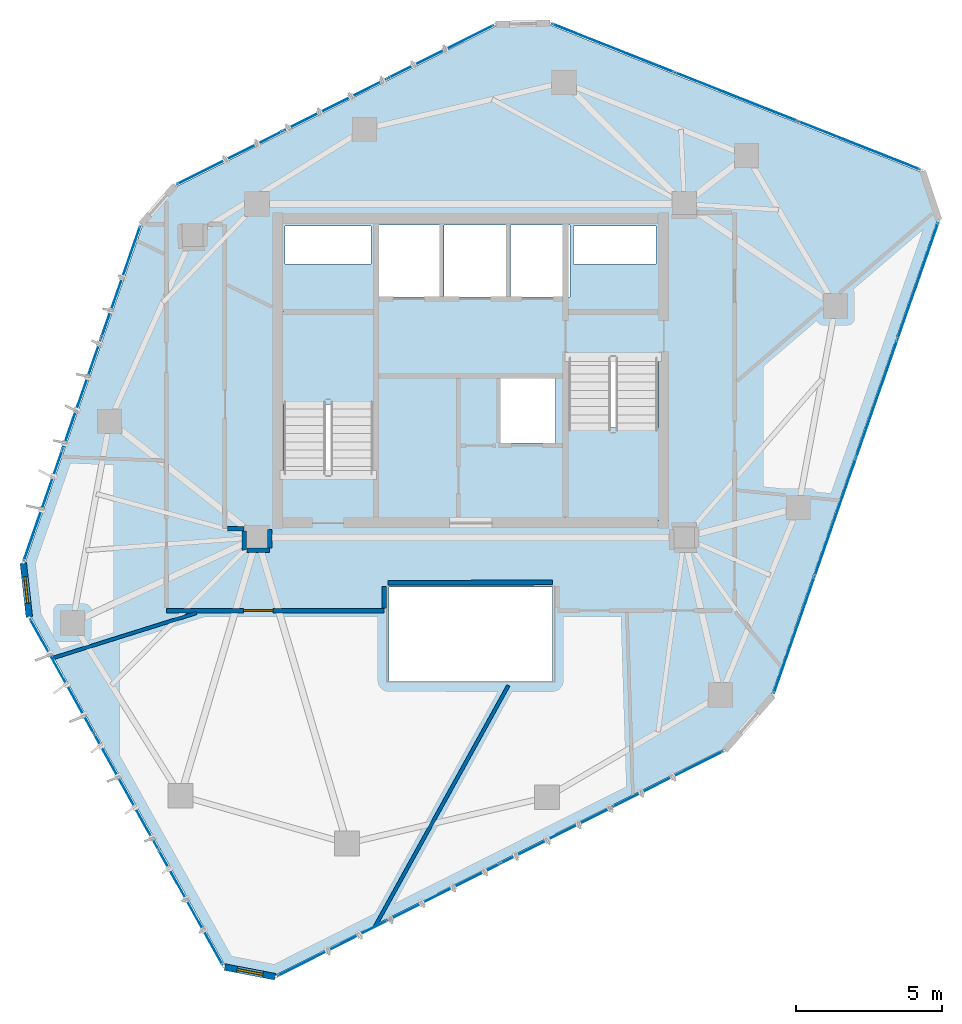
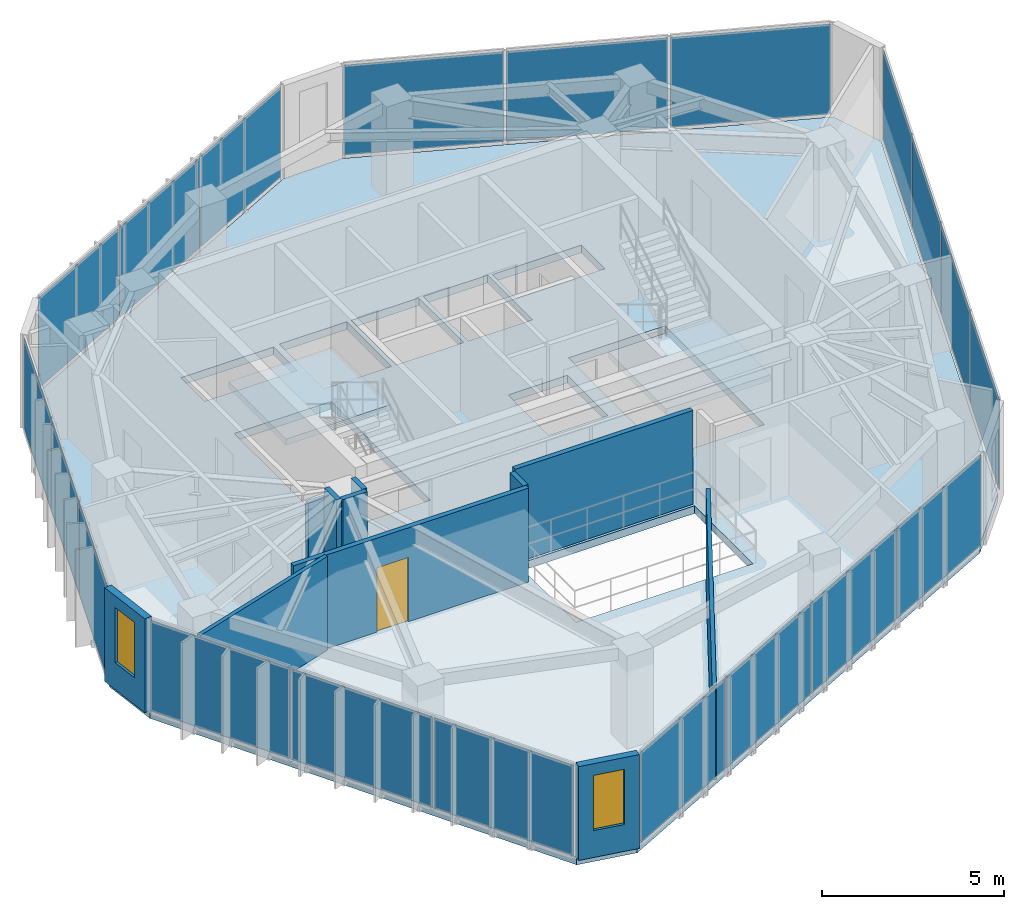
# One storey, part 16 of 21: 20 plates, 11 walls, 3 slabs, 2 windows, 1 door, 3 openings, 8 elements without a shape of their own.
"""IFC4 building model written with IfcOpenShell, lengths in metres."""

import ifcopenshell
import ifcopenshell.guid

model = None  # the IFC model being written
_history = None  # IfcOwnerHistory: only IFC2X3 demands one
_inside = {}  # id of a spatial element -> (the spatial element, [elements in it])
_under = {}  # id of a project, library or spatial element -> (it, [spatial elements below it])
_declared = {}  # id of a project -> (the project, [libraries it declares])
_typed = {}  # id of a type object -> (the type object, [elements of that type])
_made_of = {}  # id of a material, layer set ... -> (it, [elements and type objects made of it])


def new_model(schema):
    """Start an empty IFC model of exactly this schema.

    Asked for "IFC4X3", IfcOpenShell would pick the latest addendum, in which some entities
    have other attributes; the version numbers below select the first issue.
    IFC2X3 requires an IfcOwnerHistory on every rooted entity: one is made here for all.
    """
    global model, _history
    if schema == "IFC4X3":
        model = ifcopenshell.file(schema_version=(4, 3, 0, 0))
    else:
        model = ifcopenshell.file(schema=schema)
    _inside.clear()
    _under.clear()
    _declared.clear()
    _typed.clear()
    _made_of.clear()
    _history = None
    if model.schema == "IFC2X3":
        org = make("IfcOrganization", Name="unknown")
        user = make(
            "IfcPersonAndOrganization",
            ThePerson=make("IfcPerson", FamilyName="unknown"),
            TheOrganization=org,
        )
        app = make(
            "IfcApplication",
            ApplicationDeveloper=org,
            Version="unknown",
            ApplicationFullName="unknown",
            ApplicationIdentifier="unknown",
        )
        _history = make(
            "IfcOwnerHistory",
            OwningUser=user,
            OwningApplication=app,
            ChangeAction="ADDED",
            CreationDate=0,
        )
    return model


def make(cls, **values):
    """One entity of the class cls with the attributes given. An attribute that is None is left unset."""
    return model.create_entity(
        cls, **{name: value for name, value in values.items() if value is not None}
    )


def rooted(cls, **values):
    """An entity with a GlobalId (a new one), such as an element, a storey or a relation."""
    return make(cls, GlobalId=ifcopenshell.guid.new(), OwnerHistory=_history, **values)


def si_unit(unit_type, name, prefix=None):
    """IfcSIUnit, for example si_unit("LENGTHUNIT", "METRE", prefix="MILLI")."""
    return make("IfcSIUnit", UnitType=unit_type, Prefix=prefix, Name=name)


def assignment(units):
    """IfcUnitAssignment: the units of a project."""
    return None if units is None else make("IfcUnitAssignment", Units=units)


def point(xyz):
    """IfcCartesianPoint."""
    return None if xyz is None else make("IfcCartesianPoint", Coordinates=xyz)


def direction(xyz):
    """IfcDirection."""
    return None if xyz is None else make("IfcDirection", DirectionRatios=xyz)


def frame(location, z_axis=None, x_axis=None):
    """IfcAxis2Placement3D, a coordinate frame: its origin and axes. An axis left out is left unset."""
    return make(
        "IfcAxis2Placement3D",
        Location=point(location),
        Axis=direction(z_axis),
        RefDirection=direction(x_axis),
    )


def frame_2d(location, x_axis=None):
    """IfcAxis2Placement2D, a coordinate frame in the plane: its origin and x axis."""
    return make(
        "IfcAxis2Placement2D", Location=point(location), RefDirection=direction(x_axis)
    )


def origin():
    """The frame at (0, 0, 0) with its axes left unset."""
    return frame((0.0, 0.0, 0.0))


def origin_2d():
    """The frame at (0, 0) in the plane with its x axis left unset."""
    return frame_2d((0.0, 0.0))


def place(relative_to, where):
    """IfcLocalPlacement: puts the frame where relative to a parent placement (None: the world)."""
    return make(
        "IfcLocalPlacement", PlacementRelTo=relative_to, RelativePlacement=where
    )


def context(
    kind, dimensions, precision=None, world=None, true_north=None, identifier=None
):
    """IfcGeometricRepresentationContext, for example the 3D "Model" context."""
    return make(
        "IfcGeometricRepresentationContext",
        ContextIdentifier=identifier,
        ContextType=kind,
        CoordinateSpaceDimension=dimensions,
        Precision=precision,
        WorldCoordinateSystem=world,
        TrueNorth=true_north,
    )


def subcontext(parent, identifier, kind, view, scale=None):
    """IfcGeometricRepresentationSubContext, for example "Body" below "Model"."""
    return make(
        "IfcGeometricRepresentationSubContext",
        ContextIdentifier=identifier,
        ContextType=kind,
        ParentContext=parent,
        TargetScale=scale,
        TargetView=view,
    )


def project(units=None, contexts=None):
    """IfcProject with its units and contexts."""
    return rooted(
        "IfcProject",
        Name="project",
        RepresentationContexts=contexts,
        UnitsInContext=assignment(units),
    )


def spatial(cls, under=None, at=None, **own):
    """A site, building, storey or space (cls), placed at a placement, below another one or the project."""
    s = rooted(cls, ObjectPlacement=at, **own)
    if under is not None:
        _under.setdefault(under.id(), (under, []))[1].append(s)
    return s


def polyline(points):
    """IfcPolyline through the points."""
    return make("IfcPolyline", Points=[point(p) for p in points])


def profile(cls, at=None, kind="AREA", **sizes):
    """A parametric profile (cls). Its sizes go by their IFC names, for example OverallWidth=200.0."""
    return make(cls, ProfileType=kind, Position=at, **sizes)


def rectangle(**sizes):
    """IfcRectangleProfileDef."""
    return profile("IfcRectangleProfileDef", **sizes)


def outline(outer, holes=None, kind="AREA"):
    """IfcArbitraryClosedProfileDef: a profile drawn as a closed curve; with holes, ...WithVoids."""
    if holes is None:
        return make("IfcArbitraryClosedProfileDef", ProfileType=kind, OuterCurve=outer)
    return make(
        "IfcArbitraryProfileDefWithVoids",
        ProfileType=kind,
        OuterCurve=outer,
        InnerCurves=holes,
    )


def extrude(swept, where, along, depth):
    """IfcExtrudedAreaSolid: the profile swept, set in the frame where, extruded along a direction by depth."""
    return make(
        "IfcExtrudedAreaSolid",
        SweptArea=swept,
        Position=where,
        ExtrudedDirection=direction(along),
        Depth=depth,
    )


def shape(context_of_items, identifier, shape_type, items):
    """IfcShapeRepresentation: the items that make up one representation, for example the "Body"."""
    return make(
        "IfcShapeRepresentation",
        ContextOfItems=context_of_items,
        RepresentationIdentifier=identifier,
        RepresentationType=shape_type,
        Items=items,
    )


def source(mapping_origin, context_of_items, identifier, shape_type, items):
    """IfcRepresentationMap: a shape defined once, which mapped items show again and again."""
    return make(
        "IfcRepresentationMap",
        MappingOrigin=mapping_origin,
        MappedRepresentation=shape(context_of_items, identifier, shape_type, items),
    )


def transform(
    local_origin,
    x_axis=None,
    y_axis=None,
    z_axis=None,
    scale=None,
    scale2=None,
    scale3=None,
    uniform=True,
):
    """IfcCartesianTransformationOperator3D, or its non-uniform kind. x_axis, y_axis, z_axis: its Axis1, 2, 3."""
    if uniform:
        return make(
            "IfcCartesianTransformationOperator3D",
            Axis1=direction(x_axis),
            Axis2=direction(y_axis),
            LocalOrigin=point(local_origin),
            Scale=scale,
            Axis3=direction(z_axis),
        )
    return make(
        "IfcCartesianTransformationOperator3DnonUniform",
        Axis1=direction(x_axis),
        Axis2=direction(y_axis),
        LocalOrigin=point(local_origin),
        Scale=scale,
        Axis3=direction(z_axis),
        Scale2=scale2,
        Scale3=scale3,
    )


def mapped(mapping_source, mapping_target):
    """IfcMappedItem: shows the shape of a source again, moved by a transform."""
    return make(
        "IfcMappedItem", MappingSource=mapping_source, MappingTarget=mapping_target
    )


def material(Name=None, Category=None):
    """IfcMaterial."""
    return make("IfcMaterial", Name=Name, Category=Category)


def layer(
    of_material, thickness, ventilated=None, Name=None, Category=None, Priority=None
):
    """IfcMaterialLayer: one layer of a wall or slab, of a material (None: an air gap)."""
    return make(
        "IfcMaterialLayer",
        Material=of_material,
        LayerThickness=thickness,
        IsVentilated=ventilated,
        Name=Name,
        Category=Category,
        Priority=Priority,
    )


def layer_set(layers, Name=None):
    """IfcMaterialLayerSet."""
    return make("IfcMaterialLayerSet", MaterialLayers=layers, LayerSetName=Name)


def made_of(thing, what):
    """Note that an element or type object is made of a material, layer set ...; save() writes the relation."""
    if what is not None:
        _made_of.setdefault(what.id(), (what, []))[1].append(thing)
    return thing


def type_object(cls, material=None, **own):
    """A type object (cls), such as IfcWallType, which elements share."""
    return made_of(rooted(cls, **own), material)


def type_shapes(of_type, sources):
    """Give a type object the sources (RepresentationMaps) that its elements show as mapped items."""
    of_type.RepresentationMaps = sources


def element(
    cls,
    number,
    at=None,
    inside=None,
    cuts=None,
    type_object=None,
    material=None,
    context=None,
    identifier="Body",
    shape_type=None,
    held_by="IfcProductDefinitionShape",
    body=None,
    shapes=None,
    **own,
):
    """One element of the class cls, such as IfcWall. Its Tag is "e" and its number.

    at: its placement. inside: the storey or other place that contains it. cuts: it is an
    opening in that element (IfcRelVoidsElement). A single representation is given by context,
    identifier, shape_type and body (its items); several are given by shapes. held_by: the class
    of the entity that holds the representations. save() writes the other relations.
    """
    e = rooted(cls, Tag="e%d" % number, ObjectPlacement=at, **own)
    if body is not None:
        shapes = [shape(context, identifier, shape_type, body)]
    if shapes is not None:
        e.Representation = make(held_by, Representations=shapes)
    if inside is not None:
        _inside.setdefault(inside.id(), (inside, []))[1].append(e)
    if cuts is not None:
        rooted(
            "IfcRelVoidsElement", RelatingBuildingElement=cuts, RelatedOpeningElement=e
        )
    if type_object is not None:
        _typed.setdefault(type_object.id(), (type_object, []))[1].append(e)
    return made_of(e, material)


def fill(opening, filler):
    """IfcRelFillsElement: the door or window that sits in an opening."""
    return rooted(
        "IfcRelFillsElement",
        RelatingOpeningElement=opening,
        RelatedBuildingElement=filler,
    )


def aggregate(whole, parts):
    """IfcRelAggregates: a whole, such as a stair, and the parts it consists of."""
    return rooted("IfcRelAggregates", RelatingObject=whole, RelatedObjects=parts)


def save(model, path):
    """Write the relations noted so far, then the file.

    IfcRelAggregates (storeys below a building ...), IfcRelContainedInSpatialStructure (elements
    in a storey), IfcRelDefinesByType, IfcRelAssociatesMaterial and IfcRelDeclares: one each for
    every whole, place, type object, material and project.
    """
    for whole, parts in _under.values():
        aggregate(whole, parts)
    for where, things in _inside.values():
        rooted(
            "IfcRelContainedInSpatialStructure",
            RelatedElements=things,
            RelatingStructure=where,
        )
    for kind, things in _typed.values():
        rooted("IfcRelDefinesByType", RelatedObjects=things, RelatingType=kind)
    for what, things in _made_of.values():
        rooted("IfcRelAssociatesMaterial", RelatedObjects=things, RelatingMaterial=what)
    for by, libraries in _declared.values():
        rooted("IfcRelDeclares", RelatingContext=by, RelatedDefinitions=libraries)
    model.write(path)


model = new_model("IFC4")

# Units and contexts
model_context = context("Model", 3, precision=1e-05, world=origin(), true_north=direction((0.0, 1.0)))
body_context = subcontext(model_context, "Body", "Model", "MODEL_VIEW")
ifc_project = project(units=[si_unit("LENGTHUNIT", "METRE"), si_unit("AREAUNIT", "SQUARE_METRE"), si_unit("VOLUMEUNIT", "CUBIC_METRE"), si_unit("PLANEANGLEUNIT", "RADIAN"), si_unit("MASSUNIT", "GRAM", prefix="KILO")], contexts=[model_context])

# Site, building, storey
site_placement = place(None, origin())
site = spatial("IfcSite", under=ifc_project, at=site_placement, CompositionType="ELEMENT")
building_placement = place(site_placement, origin())
building = spatial("IfcBuilding", under=site, at=building_placement, Name="Talar Marvaseh", CompositionType="ELEMENT")
storey_placement = place(building_placement, frame((0.0, 0.0, 264.60009765625)))
storey = spatial("IfcBuildingStorey", under=building, at=storey_placement, Name="L70", CompositionType="ELEMENT", Elevation=264.60009765625)

# Stair, slab
ifc_material_1 = material(Name="Concrete C40/50", Category="concrete")
stair_type = type_object("IfcStairType", Name="Reinforced Concrete High-Rise Exit Stair Type C", PredefinedType="HALF_TURN_STAIR", material=ifc_material_1)
stair_1_placement = place(storey_placement, origin())
stair_1 = element("IfcStair", 1, at=stair_1_placement, inside=storey, type_object=stair_type, Name="L70 Tower West Core Exit Stair", PredefinedType="HALF_TURN_STAIR")
ifc_layer_1 = layer(ifc_material_1, 0.199951171875)
ifc_layer_set_1 = layer_set([ifc_layer_1], Name="Concrete C40/50")
slab_type_1 = type_object("IfcSlabType", Name="Reinforced Concrete Stair Half-Landing Slab 200", PredefinedType="LANDING", material=ifc_layer_set_1)
slab_1_placement = place(storey_placement, frame((0.0, 0.0, 1.5)))
slab_1 = element("IfcSlab", 2, at=slab_1_placement, type_object=slab_type_1, Name="ST-1 landing 1", PredefinedType="LANDING", context=body_context, shape_type="SweptSolid", body=[
    extrude(outline(polyline([(22.780029296875, 30.050048828125), (22.780029296875, 33.219970703125), (19.47998046875, 33.219970703125), (19.47998046875, 30.050048828125), (22.780029296875, 30.050048828125)])), origin(), (0.0, 0.0, 1.0), 0.199951171875),
])
aggregate(stair_1, [slab_1])

stair_2_placement = place(storey_placement, origin())
stair_2 = element("IfcStair", 3, at=stair_2_placement, inside=storey, type_object=stair_type, Name="L70 Tower East Core Exit Stair", PredefinedType="HALF_TURN_STAIR")
slab_2_placement = place(storey_placement, frame((0.0, 0.0, 1.5)))
slab_2 = element("IfcSlab", 4, at=slab_2_placement, type_object=slab_type_1, Name="ST-2 landing 1", PredefinedType="LANDING", context=body_context, shape_type="SweptSolid", body=[
    extrude(outline(polyline([(29.219970703125, 29.25), (29.219970703125, 26.080078125), (32.52001953125, 26.080078125), (32.52001953125, 29.25), (29.219970703125, 29.25)])), origin(), (0.0, 0.0, 1.0), 0.199951171875),
])
aggregate(stair_2, [slab_2])

# Slab
ifc_layer_2 = layer(ifc_material_1, 0.260009765625)
ifc_layer_set_2 = layer_set([ifc_layer_2], Name="Concrete C40/50")
slab_type_2 = type_object("IfcSlabType", Name="Structural Suspended Floor Slab 260", PredefinedType="FLOOR", material=ifc_layer_set_2)
slab_3_placement = place(storey_placement, frame((0.0, 0.0, -0.260009765625)))
element("IfcSlab", 5, at=slab_3_placement, inside=storey, type_object=slab_type_2, Name="L70 Tower Floor Slab", PredefinedType="FLOOR", context=body_context, shape_type="SweptSolid", body=[
    extrude(outline(polyline([(19.32958984375, 10.540771484375), (17.602783203125, 10.870849609375), (10.972412109375, 22.784912109375), (10.766357421875, 24.6298828125), (14.77685546875, 36.158203125), (15.950927734375, 37.4970703125), (26.857177734375, 42.977783203125), (28.713134765625, 43.014404296875), (41.390869140625, 37.995849609375), (41.943603515625, 36.3271484375), (36.288330078125, 20.1416015625), (34.638427734375, 18.260009765625), (19.32958984375, 10.540771484375)]), holes=[polyline([(22.659912109375, 27.64990234375), (22.659912109375, 33.10009765625), (19.60009765625, 33.10009765625), (19.60009765625, 27.64990234375), (22.659912109375, 27.64990234375)]), polyline([(29.340087890625, 31.64990234375), (29.340087890625, 26.199951171875), (32.39990234375, 26.199951171875), (32.39990234375, 31.64990234375), (29.340087890625, 31.64990234375)]), polyline([(22.800048828125, 33.719970703125), (24.93994140625, 33.719970703125), (24.93994140625, 36.179931640625), (22.800048828125, 36.179931640625), (22.800048828125, 33.719970703125)]), polyline([(25.080078125, 33.719970703125), (27.219970703125, 33.719970703125), (27.219970703125, 36.179931640625), (25.080078125, 36.179931640625), (25.080078125, 33.719970703125)]), polyline([(27.360107421875, 33.719970703125), (29.39990234375, 33.719970703125), (29.39990234375, 36.179931640625), (27.360107421875, 36.179931640625), (27.360107421875, 33.719970703125)]), polyline([(27.02001953125, 28.719970703125), (28.89990234375, 28.719970703125), (28.89990234375, 30.93994140625), (27.02001953125, 30.93994140625), (27.02001953125, 28.719970703125)]), polyline([(19.659912109375, 34.840087890625), (22.60009765625, 34.840087890625), (22.60009765625, 36.139892578125), (19.659912109375, 36.139892578125), (19.659912109375, 34.840087890625)]), polyline([(29.52001953125, 34.840087890625), (32.340087890625, 34.840087890625), (32.340087890625, 36.139892578125), (29.52001953125, 36.139892578125), (29.52001953125, 34.840087890625)]), polyline([(23.199951171875, 20.60009765625), (28.800048828125, 20.60009765625), (28.800048828125, 23.800048828125), (23.199951171875, 23.800048828125), (23.199951171875, 20.60009765625)])]), origin(), (0.0, 0.0, 1.0), 0.260009765625),
])

# Curtain wall, plates
ifc_material_2 = material(Name="Architectural Aluminium", Category="aluminium")
ifc_layer_3 = layer(ifc_material_2, 0.179931640625)
ifc_layer_set_3 = layer_set([ifc_layer_3], Name="Architectural Aluminium")
curtain_wall_type = type_object("IfcCurtainWallType", Name="Unitised High-Wind Sky Curtain Wall Z4", PredefinedType="NOTDEFINED", material=ifc_layer_set_3)
curtain_wall_1_placement = place(storey_placement, origin())
curtain_wall_1 = element("IfcCurtainWall", 6, at=curtain_wall_1_placement, inside=storey, type_object=curtain_wall_type, Name="L70 Unitised High-Wind Sky Curtain Wall Z4", PredefinedType="NOTDEFINED")
ifc_material_3 = material(Name="Laminated Low-E Solar Glass", Category="glass")
ifc_layer_4 = layer(ifc_material_3, 0.028076171875)
ifc_layer_set_4 = layer_set([ifc_layer_4], Name="Laminated Low-E Solar Glass")
plate_type = type_object("IfcPlateType", Name="Double-Glazed Low-E Vision Curtain Panel 28", PredefinedType="CURTAIN_PANEL", material=ifc_layer_set_4)
shared_shape_1 = source(origin(), body_context, "Body", "SweptSolid", [
    extrude(rectangle(XDim=4.447509765625, YDim=0.028076171875, at=origin_2d()), origin(), (0.0, 0.0, 1.0), 3.010009765625),
])
plate_1_placement = place(storey_placement, frame((16.4375, 12.841552734375, 0.06494140625), z_axis=(0.0, 0.0, 1.0), x_axis=(-0.486279216981, 0.873803480843, 0.0)))
plate_1 = element("IfcPlate", 7, at=plate_1_placement, type_object=plate_type, Name="CW-Z4 panel 1.1", PredefinedType="CURTAIN_PANEL", context=body_context, shape_type="MappedRepresentation", body=[
    mapped(shared_shape_1, transform((0.0, 0.0, 0.0), x_axis=(1.0, 0.0, 0.0), y_axis=(0.0, 1.0, 0.0), z_axis=(0.0, 0.0, 1.0), scale=1.0)),
])
plate_2_placement = place(storey_placement, frame((12.032958984375, 20.755859375, 0.06494140625), z_axis=(0.0, 0.0, 1.0), x_axis=(-0.486279216981, 0.873803480843, 0.0)))
plate_2 = element("IfcPlate", 8, at=plate_2_placement, type_object=plate_type, Name="CW-Z4 panel 3.1", PredefinedType="CURTAIN_PANEL", context=body_context, shape_type="MappedRepresentation", body=[
    mapped(shared_shape_1, transform((0.0, 0.0, 0.0), x_axis=(1.0, 0.0, 0.0), y_axis=(0.0, 1.0, 0.0), z_axis=(0.0, 0.0, 1.0), scale=1.0)),
])

curtain_wall_2_placement = place(storey_placement, origin())
curtain_wall_2 = element("IfcCurtainWall", 9, at=curtain_wall_2_placement, inside=storey, type_object=curtain_wall_type, Name="L70 Unitised High-Wind Sky Curtain Wall Z4", PredefinedType="NOTDEFINED")
plate_3_placement = place(storey_placement, frame((30.86328125, 42.227783203125, 0.06494140625), z_axis=(0.0, 0.0, 1.0), x_axis=(0.929802011572, -0.368060075635, 0.0)))
plate_3 = element("IfcPlate", 10, at=plate_3_placement, type_object=plate_type, Name="CW-Z4 panel 1.1", PredefinedType="CURTAIN_PANEL", context=body_context, shape_type="MappedRepresentation", body=[
    mapped(shared_shape_1, transform((0.0, 0.0, 0.0), x_axis=(1.0, 0.0, 0.0), y_axis=(0.0, 1.0, 0.0), z_axis=(0.0, 0.0, 1.0), scale=1.0)),
])
plate_4_placement = place(storey_placement, frame((39.284912109375, 38.89404296875, 0.06494140625), z_axis=(0.0, 0.0, 1.0), x_axis=(0.929802011572, -0.368060075635, 0.0)))
plate_4 = element("IfcPlate", 11, at=plate_4_placement, type_object=plate_type, Name="CW-Z4 panel 3.1", PredefinedType="CURTAIN_PANEL", context=body_context, shape_type="MappedRepresentation", body=[
    mapped(shared_shape_1, transform((0.0, 0.0, 0.0), x_axis=(1.0, 0.0, 0.0), y_axis=(0.0, 1.0, 0.0), z_axis=(0.0, 0.0, 1.0), scale=1.0)),
])

# Plate
shared_shape_2 = source(origin(), body_context, "Body", "SweptSolid", [
    extrude(rectangle(XDim=4.47998046875, YDim=0.028076171875, at=origin_2d()), origin(), (0.0, 0.0, 1.0), 3.010009765625),
])
plate_5_placement = place(storey_placement, frame((14.2353515625, 16.798828125, 0.06494140625), z_axis=(0.0, 0.0, 1.0), x_axis=(-0.486279216981, 0.873803480843, 0.0)))
plate_5 = element("IfcPlate", 12, at=plate_5_placement, type_object=plate_type, Name="CW-Z4 panel 2.1", PredefinedType="CURTAIN_PANEL", context=body_context, shape_type="MappedRepresentation", body=[
    mapped(shared_shape_2, transform((0.0, 0.0, 0.0), x_axis=(1.0, 0.0, 0.0), y_axis=(0.0, 1.0, 0.0), z_axis=(0.0, 0.0, 1.0), scale=1.0)),
])

aggregate(curtain_wall_1, [plate_1, plate_5, plate_2])

plate_6_placement = place(storey_placement, frame((35.07421875, 40.560791015625, 0.06494140625), z_axis=(0.0, 0.0, 1.0), x_axis=(0.929802011572, -0.368060075635, 0.0)))
plate_6 = element("IfcPlate", 13, at=plate_6_placement, type_object=plate_type, Name="CW-Z4 panel 2.1", PredefinedType="CURTAIN_PANEL", context=body_context, shape_type="MappedRepresentation", body=[
    mapped(shared_shape_2, transform((0.0, 0.0, 0.0), x_axis=(1.0, 0.0, 0.0), y_axis=(0.0, 1.0, 0.0), z_axis=(0.0, 0.0, 1.0), scale=1.0)),
])

aggregate(curtain_wall_2, [plate_3, plate_6, plate_4])

# Curtain wall, plates
curtain_wall_3_placement = place(storey_placement, origin())
curtain_wall_3 = element("IfcCurtainWall", 14, at=curtain_wall_3_placement, inside=storey, type_object=curtain_wall_type, Name="L70 Unitised High-Wind Sky Curtain Wall Z4", PredefinedType="NOTDEFINED")
shared_shape_3 = source(origin(), body_context, "Body", "SweptSolid", [
    extrude(rectangle(XDim=3.97119140625, YDim=0.028076171875, at=origin_2d()), origin(), (0.0, 0.0, 1.0), 3.010009765625),
])
plate_7_placement = place(storey_placement, frame((11.383544921875, 26.58642578125, 0.06494140625), z_axis=(0.0, 0.0, 1.0), x_axis=(0.328568606431, 0.944480106126, 0.0)))
plate_7 = element("IfcPlate", 15, at=plate_7_placement, type_object=plate_type, Name="CW-Z4 panel 1.1", PredefinedType="CURTAIN_PANEL", context=body_context, shape_type="MappedRepresentation", body=[
    mapped(shared_shape_3, transform((0.0, 0.0, 0.0), x_axis=(1.0, 0.0, 0.0), y_axis=(0.0, 1.0, 0.0), z_axis=(0.0, 0.0, 1.0), scale=1.0)),
])
plate_8_placement = place(storey_placement, frame((14.04638671875, 34.2412109375, 0.06494140625), z_axis=(0.0, 0.0, 1.0), x_axis=(0.328568606431, 0.944480106126, 0.0)))
plate_8 = element("IfcPlate", 16, at=plate_8_placement, type_object=plate_type, Name="CW-Z4 panel 3.1", PredefinedType="CURTAIN_PANEL", context=body_context, shape_type="MappedRepresentation", body=[
    mapped(shared_shape_3, transform((0.0, 0.0, 0.0), x_axis=(1.0, 0.0, 0.0), y_axis=(0.0, 1.0, 0.0), z_axis=(0.0, 0.0, 1.0), scale=1.0)),
])

curtain_wall_4_placement = place(storey_placement, origin())
curtain_wall_4 = element("IfcCurtainWall", 17, at=curtain_wall_4_placement, inside=storey, type_object=curtain_wall_type, Name="L70 Unitised High-Wind Sky Curtain Wall Z4", PredefinedType="NOTDEFINED")
plate_9_placement = place(storey_placement, frame((17.756103515625, 38.471435546875, 0.06494140625), z_axis=(0.0, 0.0, 1.0), x_axis=(0.893514304781, 0.449034728226, 0.0)))
plate_9 = element("IfcPlate", 18, at=plate_9_placement, type_object=plate_type, Name="CW-Z4 panel 1.1", PredefinedType="CURTAIN_PANEL", context=body_context, shape_type="MappedRepresentation", body=[
    mapped(shared_shape_3, transform((0.0, 0.0, 0.0), x_axis=(1.0, 0.0, 0.0), y_axis=(0.0, 1.0, 0.0), z_axis=(0.0, 0.0, 1.0), scale=1.0)),
])
plate_10_placement = place(storey_placement, frame((24.998046875, 42.11083984375, 0.06494140625), z_axis=(0.0, 0.0, 1.0), x_axis=(0.893514304781, 0.449034728226, 0.0)))
plate_10 = element("IfcPlate", 19, at=plate_10_placement, type_object=plate_type, Name="CW-Z4 panel 3.1", PredefinedType="CURTAIN_PANEL", context=body_context, shape_type="MappedRepresentation", body=[
    mapped(shared_shape_3, transform((0.0, 0.0, 0.0), x_axis=(1.0, 0.0, 0.0), y_axis=(0.0, 1.0, 0.0), z_axis=(0.0, 0.0, 1.0), scale=1.0)),
])

# Plate
shared_shape_4 = source(origin(), body_context, "Body", "SweptSolid", [
    extrude(rectangle(XDim=4.003662109375, YDim=0.028076171875, at=origin_2d()), origin(), (0.0, 0.0, 1.0), 3.010009765625),
])
plate_11_placement = place(storey_placement, frame((12.71484375, 30.413818359375, 0.06494140625), z_axis=(0.0, 0.0, 1.0), x_axis=(0.328568606431, 0.944480106126, 0.0)))
plate_11 = element("IfcPlate", 20, at=plate_11_placement, type_object=plate_type, Name="CW-Z4 panel 2.1", PredefinedType="CURTAIN_PANEL", context=body_context, shape_type="MappedRepresentation", body=[
    mapped(shared_shape_4, transform((0.0, 0.0, 0.0), x_axis=(1.0, 0.0, 0.0), y_axis=(0.0, 1.0, 0.0), z_axis=(0.0, 0.0, 1.0), scale=1.0)),
])

aggregate(curtain_wall_3, [plate_7, plate_11, plate_8])

plate_12_placement = place(storey_placement, frame((21.377197265625, 40.291015625, 0.06494140625), z_axis=(0.0, 0.0, 1.0), x_axis=(0.893514304781, 0.449034728226, 0.0)))
plate_12 = element("IfcPlate", 21, at=plate_12_placement, type_object=plate_type, Name="CW-Z4 panel 2.1", PredefinedType="CURTAIN_PANEL", context=body_context, shape_type="MappedRepresentation", body=[
    mapped(shared_shape_4, transform((0.0, 0.0, 0.0), x_axis=(1.0, 0.0, 0.0), y_axis=(0.0, 1.0, 0.0), z_axis=(0.0, 0.0, 1.0), scale=1.0)),
])

aggregate(curtain_wall_4, [plate_9, plate_12, plate_10])

# Curtain wall, plates
curtain_wall_5_placement = place(storey_placement, origin())
curtain_wall_5 = element("IfcCurtainWall", 22, at=curtain_wall_5_placement, inside=storey, type_object=curtain_wall_type, Name="L70 Unitised High-Wind Sky Curtain Wall Z4", PredefinedType="NOTDEFINED")
shared_shape_5 = source(origin(), body_context, "Body", "SweptSolid", [
    extrude(rectangle(XDim=4.188720703125, YDim=0.028076171875, at=origin_2d()), origin(), (0.0, 0.0, 1.0), 3.010009765625),
])
plate_13_placement = place(storey_placement, frame((41.287841796875, 34.268798828125, 0.06494140625), z_axis=(0.0, 0.0, 1.0), x_axis=(-0.329838044597, -0.94403753333, 0.0)))
plate_13 = element("IfcPlate", 23, at=plate_13_placement, type_object=plate_type, Name="CW-Z4 panel 1.1", PredefinedType="CURTAIN_PANEL", context=body_context, shape_type="MappedRepresentation", body=[
    mapped(shared_shape_5, transform((0.0, 0.0, 0.0), x_axis=(1.0, 0.0, 0.0), y_axis=(0.0, 1.0, 0.0), z_axis=(0.0, 0.0, 1.0), scale=1.0)),
])
plate_14_placement = place(storey_placement, frame((37.05712890625, 22.16015625, 0.06494140625), z_axis=(0.0, 0.0, 1.0), x_axis=(-0.329838044597, -0.94403753333, 0.0)))
plate_14 = element("IfcPlate", 24, at=plate_14_placement, type_object=plate_type, Name="CW-Z4 panel 4.1", PredefinedType="CURTAIN_PANEL", context=body_context, shape_type="MappedRepresentation", body=[
    mapped(shared_shape_5, transform((0.0, 0.0, 0.0), x_axis=(1.0, 0.0, 0.0), y_axis=(0.0, 1.0, 0.0), z_axis=(0.0, 0.0, 1.0), scale=1.0)),
])

curtain_wall_6_placement = place(storey_placement, origin())
curtain_wall_6 = element("IfcCurtainWall", 25, at=curtain_wall_6_placement, inside=storey, type_object=curtain_wall_type, Name="L70 Unitised High-Wind Sky Curtain Wall Z4", PredefinedType="NOTDEFINED")
plate_15_placement = place(storey_placement, frame((32.7373046875, 17.234375, 0.06494140625), z_axis=(0.0, 0.0, 1.0), x_axis=(-0.89290909223, -0.450236996494, 0.0)))
plate_15 = element("IfcPlate", 26, at=plate_15_placement, type_object=plate_type, Name="CW-Z4 panel 1.1", PredefinedType="CURTAIN_PANEL", context=body_context, shape_type="MappedRepresentation", body=[
    mapped(shared_shape_5, transform((0.0, 0.0, 0.0), x_axis=(1.0, 0.0, 0.0), y_axis=(0.0, 1.0, 0.0), z_axis=(0.0, 0.0, 1.0), scale=1.0)),
])
plate_16_placement = place(storey_placement, frame((21.28466796875, 11.45947265625, 0.06494140625), z_axis=(0.0, 0.0, 1.0), x_axis=(-0.89290909223, -0.450236996494, 0.0)))
plate_16 = element("IfcPlate", 27, at=plate_16_placement, type_object=plate_type, Name="CW-Z4 panel 4.1", PredefinedType="CURTAIN_PANEL", context=body_context, shape_type="MappedRepresentation", body=[
    mapped(shared_shape_5, transform((0.0, 0.0, 0.0), x_axis=(1.0, 0.0, 0.0), y_axis=(0.0, 1.0, 0.0), z_axis=(0.0, 0.0, 1.0), scale=1.0)),
])

# Plate
shared_shape_6 = source(origin(), body_context, "Body", "SweptSolid", [
    extrude(rectangle(XDim=4.22119140625, YDim=0.028076171875, at=origin_2d()), origin(), (0.0, 0.0, 1.0), 3.010009765625),
])
type_shapes(plate_type, [shared_shape_1, shared_shape_2, shared_shape_3, shared_shape_4, shared_shape_5, shared_shape_6])
plate_17_placement = place(storey_placement, frame((39.87939453125, 30.23779296875, 0.06494140625), z_axis=(0.0, 0.0, 1.0), x_axis=(-0.329838044597, -0.94403753333, 0.0)))
plate_17 = element("IfcPlate", 28, at=plate_17_placement, type_object=plate_type, Name="CW-Z4 panel 2.1", PredefinedType="CURTAIN_PANEL", context=body_context, shape_type="MappedRepresentation", body=[
    mapped(shared_shape_6, transform((0.0, 0.0, 0.0), x_axis=(1.0, 0.0, 0.0), y_axis=(0.0, 1.0, 0.0), z_axis=(0.0, 0.0, 1.0), scale=1.0)),
])

plate_18_placement = place(storey_placement, frame((38.465576171875, 26.19140625, 0.06494140625), z_axis=(0.0, 0.0, 1.0), x_axis=(-0.329838044597, -0.94403753333, 0.0)))
plate_18 = element("IfcPlate", 29, at=plate_18_placement, type_object=plate_type, Name="CW-Z4 panel 3.1", PredefinedType="CURTAIN_PANEL", context=body_context, shape_type="MappedRepresentation", body=[
    mapped(shared_shape_6, transform((0.0, 0.0, 0.0), x_axis=(1.0, 0.0, 0.0), y_axis=(0.0, 1.0, 0.0), z_axis=(0.0, 0.0, 1.0), scale=1.0)),
])

aggregate(curtain_wall_5, [plate_13, plate_17, plate_18, plate_14])

plate_19_placement = place(storey_placement, frame((28.924560546875, 15.311767578125, 0.06494140625), z_axis=(0.0, 0.0, 1.0), x_axis=(-0.89290909223, -0.450236996494, 0.0)))
plate_19 = element("IfcPlate", 30, at=plate_19_placement, type_object=plate_type, Name="CW-Z4 panel 2.1", PredefinedType="CURTAIN_PANEL", context=body_context, shape_type="MappedRepresentation", body=[
    mapped(shared_shape_6, transform((0.0, 0.0, 0.0), x_axis=(1.0, 0.0, 0.0), y_axis=(0.0, 1.0, 0.0), z_axis=(0.0, 0.0, 1.0), scale=1.0)),
])

plate_20_placement = place(storey_placement, frame((25.097412109375, 13.3818359375, 0.06494140625), z_axis=(0.0, 0.0, 1.0), x_axis=(-0.89290909223, -0.450236996494, 0.0)))
plate_20 = element("IfcPlate", 31, at=plate_20_placement, type_object=plate_type, Name="CW-Z4 panel 3.1", PredefinedType="CURTAIN_PANEL", context=body_context, shape_type="MappedRepresentation", body=[
    mapped(shared_shape_6, transform((0.0, 0.0, 0.0), x_axis=(1.0, 0.0, 0.0), y_axis=(0.0, 1.0, 0.0), z_axis=(0.0, 0.0, 1.0), scale=1.0)),
])

aggregate(curtain_wall_6, [plate_15, plate_19, plate_20, plate_16])

# Wall, opening, window
ifc_material_4 = material(Name="Precast concrete C45/55", Category="concrete")
ifc_layer_5 = layer(ifc_material_4, 0.22509765625)
ifc_layer_set_5 = layer_set([ifc_layer_5], Name="Precast concrete C45/55")
wall_type_1 = type_object("IfcWallType", Name="Chamfered Hexagonal Corner Pier Wall Z4 225", PredefinedType="SOLIDWALL", material=ifc_layer_set_5)
wall_1_placement = place(storey_placement, frame((19.318115234375, 10.48193359375, 0.0), z_axis=(0.0, 0.0, 1.0), x_axis=(-0.982211915114, 0.187775807301, 0.0)))
wall_1 = element("IfcWall", 32, at=wall_1_placement, inside=storey, type_object=wall_type_1, Name="L70 Chamfered Corner Limestone Pier 1", PredefinedType="SOLIDWALL", context=body_context, shape_type="SweptSolid", body=[
    extrude(rectangle(XDim=1.7578125, YDim=0.22509765625, at=frame_2d((0.87890625, 0.0))), origin(), (0.0, 0.0, 1.0), 3.139892578125),
])
opening_1_placement = place(wall_1_placement, frame((0.428955078125, 0.0, 0.89990234375)))
opening_1 = element("IfcOpeningElement", 33, at=opening_1_placement, cuts=wall_1, Name="Opening WN-CHM09", PredefinedType="OPENING", context=body_context, shape_type="SweptSolid", body=[
    extrude(rectangle(XDim=0.89990234375, YDim=1.85009765625, at=frame_2d((0.449951171875, 0.925048828125))), frame((0.0, 0.12255859375, 0.0), z_axis=(0.0, -1.0, 0.0), x_axis=(1.0, 0.0, 0.0)), (0.0, 0.0, 1.0), 0.2451171875),
])
window_type = type_object("IfcWindowType", Name="Zone 4 Chamfered Corner Slot Window 900x1850", PartitioningType="SINGLE_PANEL", PredefinedType="WINDOW", material=ifc_material_3)
shared_shape_7 = source(origin(), body_context, "Body", "SweptSolid", [
    extrude(rectangle(XDim=0.89990234375, YDim=1.85009765625, at=frame_2d((0.449951171875, 0.925048828125))), frame((0.0, 0.030029296875, 0.0), z_axis=(0.0, -1.0, 0.0), x_axis=(1.0, 0.0, 0.0)), (0.0, 0.0, 1.0), 0.06005859375),
])
type_shapes(window_type, [shared_shape_7])
window_1_placement = place(opening_1_placement, origin())
window_1 = element("IfcWindow", 34, at=window_1_placement, inside=storey, type_object=window_type, Name="L70 Chamfered Corner Slot Window", OverallHeight=1.85009765625, OverallWidth=0.89990234375, PartitioningType="SINGLE_PANEL", PredefinedType="WINDOW", context=body_context, shape_type="MappedRepresentation", body=[
    mapped(shared_shape_7, transform((0.0, 0.0, 0.0), x_axis=(1.0, 0.0, 0.0), y_axis=(0.0, 1.0, 0.0), z_axis=(0.0, 0.0, 1.0), scale=1.0)),
])
fill(opening_1, window_1)

wall_2_placement = place(storey_placement, frame((10.912841796875, 22.7783203125, 0.0), z_axis=(0.0, 0.0, 1.0), x_axis=(-0.110994435289, 0.993821027819, 0.0)))
wall_2 = element("IfcWall", 35, at=wall_2_placement, inside=storey, type_object=wall_type_1, Name="L70 Chamfered Corner Limestone Pier 2", PredefinedType="SOLIDWALL", context=body_context, shape_type="SweptSolid", body=[
    extrude(rectangle(XDim=1.8564453125, YDim=0.22509765625, at=frame_2d((0.92822265625, 0.0))), origin(), (0.0, 0.0, 1.0), 3.139892578125),
])
opening_2_placement = place(wall_2_placement, frame((0.47802734375, 0.0, 0.89990234375)))
opening_2 = element("IfcOpeningElement", 36, at=opening_2_placement, cuts=wall_2, Name="Opening WN-CHM09", PredefinedType="OPENING", context=body_context, shape_type="SweptSolid", body=[
    extrude(rectangle(XDim=0.89990234375, YDim=1.85009765625, at=frame_2d((0.449951171875, 0.925048828125))), frame((0.0, 0.12255859375, 0.0), z_axis=(0.0, -1.0, 0.0), x_axis=(1.0, 0.0, 0.0)), (0.0, 0.0, 1.0), 0.2451171875),
])
window_2_placement = place(opening_2_placement, origin())
window_2 = element("IfcWindow", 37, at=window_2_placement, inside=storey, type_object=window_type, Name="L70 Chamfered Corner Slot Window", OverallHeight=1.85009765625, OverallWidth=0.89990234375, PartitioningType="SINGLE_PANEL", PredefinedType="WINDOW", context=body_context, shape_type="MappedRepresentation", body=[
    mapped(shared_shape_7, transform((0.0, 0.0, 0.0), x_axis=(1.0, 0.0, 0.0), y_axis=(0.0, 1.0, 0.0), z_axis=(0.0, 0.0, 1.0), scale=1.0)),
])
fill(opening_2, window_2)

# Wall, opening, door
ifc_material_5 = material(Name="Gypsum Board Partition Assembly")
ifc_layer_6 = layer(ifc_material_5, 0.155029296875)
ifc_layer_set_6 = layer_set([ifc_layer_6], Name="Gypsum Board Partition Assembly")
wall_type_2 = type_object("IfcWallType", Name="Corridor Fire-Rated Acoustic Partition 155", PredefinedType="PARTITIONING", material=ifc_layer_set_6)
wall_3_placement = place(storey_placement, frame((23.0400390625, 23.0, 0.0), z_axis=(0.0, 0.0, 1.0), x_axis=(-1.0, 0.0, 0.0)))
wall_3 = element("IfcWall", 38, at=wall_3_placement, inside=storey, type_object=wall_type_2, Name="L70 Interior Partition Wall", PredefinedType="PARTITIONING", context=body_context, shape_type="SweptSolid", body=[
    extrude(rectangle(XDim=7.43994140625, YDim=0.155029296875, at=frame_2d((3.719970703125, 0.0))), origin(), (0.0, 0.0, 1.0), 3.139892578125),
])
opening_3_placement = place(wall_3_placement, frame((3.802001953125, 0.0, 0.0)))
opening_3 = element("IfcOpeningElement", 39, at=opening_3_placement, cuts=wall_3, Name="Opening DR-RM100", PredefinedType="OPENING", context=body_context, shape_type="SweptSolid", body=[
    extrude(rectangle(XDim=1.0, YDim=2.14990234375, at=frame_2d((0.5, 1.074951171875))), frame((0.0, 0.08740234375, 0.0), z_axis=(0.0, -1.0, 0.0), x_axis=(1.0, 0.0, 0.0)), (0.0, 0.0, 1.0), 0.175048828125),
])
ifc_material_6 = material(Name="Acoustic Engineered Oak Timber", Category="wood")
door_type = type_object("IfcDoorType", Name="Corridor Fire-Rated Gallery Door 1000x2150", OperationType="NOTDEFINED", PredefinedType="DOOR", material=ifc_material_6)
shared_shape_8 = source(origin(), body_context, "Body", "SweptSolid", [
    extrude(rectangle(XDim=1.0, YDim=2.14990234375, at=frame_2d((0.5, 1.074951171875))), frame((0.0, 0.02490234375, 0.0), z_axis=(0.0, -1.0, 0.0), x_axis=(1.0, 0.0, 0.0)), (0.0, 0.0, 1.0), 0.050048828125),
])
type_shapes(door_type, [shared_shape_8])
door_placement = place(opening_3_placement, origin())
door = element("IfcDoor", 40, at=door_placement, inside=storey, type_object=door_type, Name="L70 Curatorial Staff Control Room Door", OperationType="SINGLE_SWING_RIGHT", OverallHeight=2.14990234375, OverallWidth=1.0, PredefinedType="DOOR", context=body_context, shape_type="MappedRepresentation", body=[
    mapped(shared_shape_8, transform((0.0, 0.0, 0.0), x_axis=(1.0, 0.0, 0.0), y_axis=(0.0, 1.0, 0.0), z_axis=(0.0, 0.0, 1.0), scale=1.0)),
])
fill(opening_3, door)

# Walls
wall_4_placement = place(storey_placement, frame((17.68359375, 25.800048828125, 0.0), z_axis=(0.0, 0.0, 1.0), x_axis=(1.0, 0.0, 0.0)))
element("IfcWall", 41, at=wall_4_placement, inside=storey, type_object=wall_type_2, Name="L70 Interior Partition Wall", PredefinedType="PARTITIONING", context=body_context, shape_type="SweptSolid", body=[
    extrude(rectangle(XDim=0.576416015625, YDim=0.155029296875, at=frame_2d((0.2880859375, 0.0))), origin(), (0.0, 0.0, 1.0), 2.802001953125),
])
wall_5_placement = place(storey_placement, frame((18.260986328125, 25.716552734375, 0.0), z_axis=(0.0, 0.0, 1.0), x_axis=(0.010439401276, -0.999945507966, 0.0)))
element("IfcWall", 42, at=wall_5_placement, inside=storey, type_object=wall_type_2, Name="L70 Interior Partition Wall", PredefinedType="PARTITIONING", context=body_context, shape_type="SweptSolid", body=[
    extrude(rectangle(XDim=0.65478515625, YDim=0.155029296875, at=frame_2d((0.327392578125, 0.0))), origin(), (0.0, 0.0, 1.0), 3.139892578125),
])
wall_6_placement = place(storey_placement, frame((18.351318359375, 25.0615234375, 0.0), z_axis=(0.0, 0.0, 1.0), x_axis=(0.999998207633, -0.001893338355, 0.0)))
element("IfcWall", 43, at=wall_6_placement, inside=storey, type_object=wall_type_2, Name="L70 Interior Partition Wall", PredefinedType="PARTITIONING", context=body_context, shape_type="SweptSolid", body=[
    extrude(rectangle(XDim=0.773681640625, YDim=0.155029296875, at=frame_2d((0.38671875, 0.0))), origin(), (0.0, 0.0, 1.0), 3.139892578125),
])
wall_7_placement = place(storey_placement, frame((19.126708984375, 25.1435546875, 0.0), z_axis=(0.0, 0.0, 1.0), x_axis=(0.021238324089, 0.999774441357, 0.0)))
element("IfcWall", 44, at=wall_7_placement, inside=storey, type_object=wall_type_2, Name="L70 Interior Partition Wall", PredefinedType="PARTITIONING", context=body_context, shape_type="SweptSolid", body=[
    extrude(rectangle(XDim=0.620849609375, YDim=0.155029296875, at=frame_2d((0.310546875, 0.0))), origin(), (0.0, 0.0, 1.0), 3.139892578125),
])
wall_8_placement = place(storey_placement, frame((28.800048828125, 23.9599609375, 0.0), z_axis=(0.0, 0.0, 1.0), x_axis=(-0.999999841177, -0.000563600015, 0.0)))
element("IfcWall", 45, at=wall_8_placement, inside=storey, type_object=wall_type_2, Name="L70 Interior Partition Wall", PredefinedType="PARTITIONING", context=body_context, shape_type="SweptSolid", body=[
    extrude(rectangle(XDim=5.63134765625, YDim=0.155029296875, at=frame_2d((2.815673828125, 0.0))), origin(), (0.0, 0.0, 1.0), 3.139892578125),
])
wall_9_placement = place(storey_placement, frame((23.040771484375, 23.815673828125, 0.0), z_axis=(0.0, 0.0, 1.0), x_axis=(-0.001000332944, -0.999999499667, 0.0)))
element("IfcWall", 46, at=wall_9_placement, inside=storey, type_object=wall_type_2, Name="L70 Interior Partition Wall", PredefinedType="PARTITIONING", context=body_context, shape_type="SweptSolid", body=[
    extrude(rectangle(XDim=0.732177734375, YDim=0.155029296875, at=frame_2d((0.3662109375, 0.0))), origin(), (0.0, 0.0, 1.0), 3.139892578125),
])
ifc_layer_7 = layer(ifc_material_5, 0.1201171875)
ifc_layer_set_7 = layer_set([ifc_layer_7], Name="Gypsum Board Partition Assembly")
wall_type_3 = type_object("IfcWallType", Name="Demountable Studio Room Partition 120", PredefinedType="PARTITIONING", material=ifc_layer_set_7)
wall_10_placement = place(storey_placement, frame((16.624267578125, 22.91650390625, 0.0), z_axis=(0.0, 0.0, 1.0), x_axis=(-0.954076293891, -0.299563725167, 0.0)))
element("IfcWall", 47, at=wall_10_placement, inside=storey, type_object=wall_type_3, Name="L70 Interior Partition Wall", PredefinedType="PARTITIONING", context=body_context, shape_type="SweptSolid", body=[
    extrude(rectangle(XDim=5.144287109375, YDim=0.1201171875, at=frame_2d((2.572265625, 0.0))), origin(), (0.0, 0.0, 1.0), 3.139892578125),
])
wall_11_placement = place(storey_placement, frame((27.2900390625, 20.43994140625, 0.0), z_axis=(0.0, 0.0, 1.0), x_axis=(-0.484237170068, -0.874936776644, 0.0)))
element("IfcWall", 48, at=wall_11_placement, inside=storey, type_object=wall_type_3, Name="L70 Interior Partition Wall", PredefinedType="PARTITIONING", context=body_context, shape_type="SweptSolid", body=[
    extrude(rectangle(XDim=9.411865234375, YDim=0.1201171875, at=frame_2d((4.7060546875, 0.0))), origin(), (0.0, 0.0, 1.0), 3.139892578125),
])

save(model, "model.ifc")
